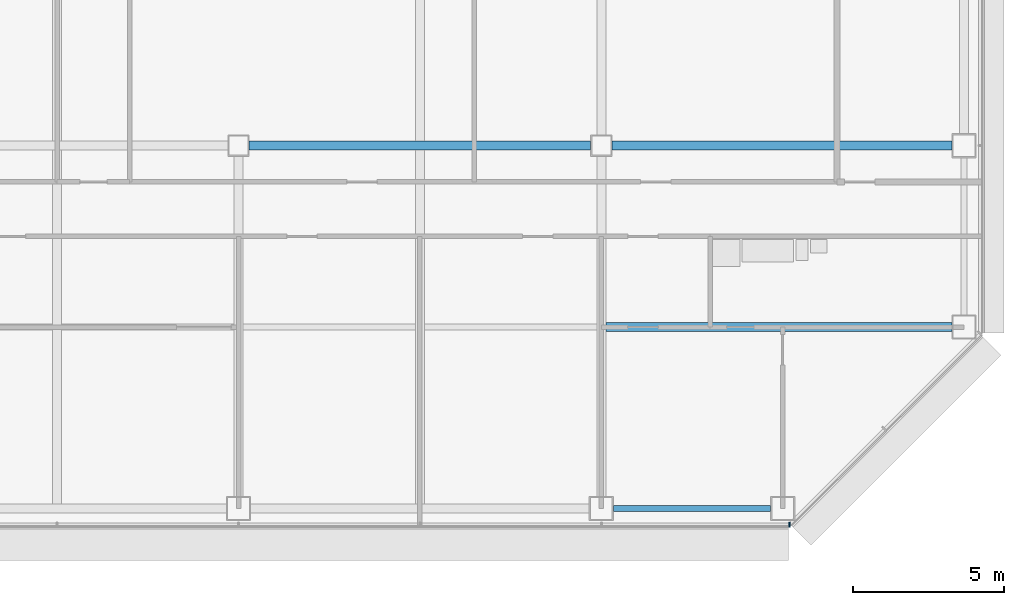
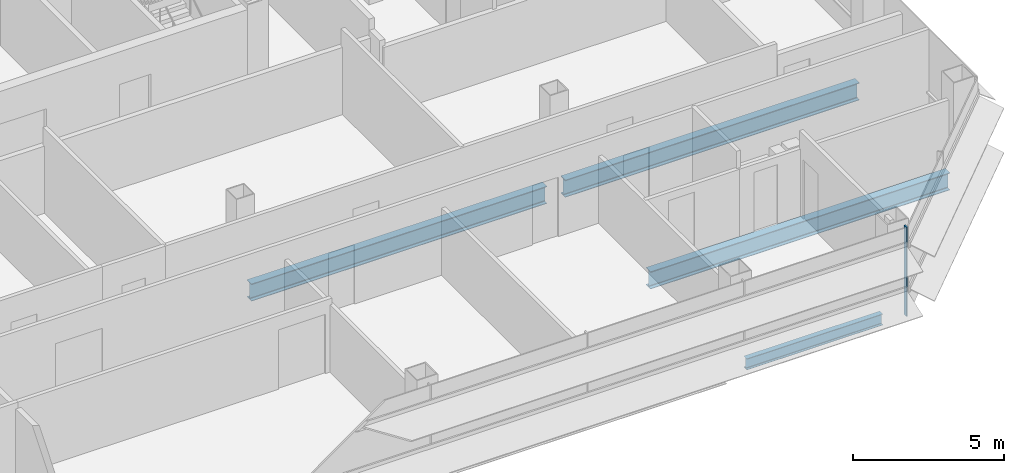
# One storey, part 9 of 25: 4 beams, 1 member, 1 element without a shape of its own.
"""IFC4 building model written with IfcOpenShell, lengths in metres."""

from ifc_helpers import new_model, si_unit, direction, frame, origin, origin_2d, place, context, subcontext, project, spatial, rectangle, i_section, extrude, material, material_profile, profile_set, type_object, element, aggregate, save


model = new_model("IFC4")

# Units and contexts
model_context = context("Model", 3, precision=1e-05, world=origin(), true_north=direction((0.0, 1.0)))
body_context = subcontext(model_context, "Body", "Model", "MODEL_VIEW")
ifc_project = project(units=[si_unit("LENGTHUNIT", "METRE"), si_unit("AREAUNIT", "SQUARE_METRE"), si_unit("VOLUMEUNIT", "CUBIC_METRE"), si_unit("PLANEANGLEUNIT", "RADIAN"), si_unit("MASSUNIT", "GRAM", prefix="KILO")], contexts=[model_context])

# Site, building, storey
site_placement = place(None, origin())
site = spatial("IfcSite", under=ifc_project, at=site_placement, CompositionType="ELEMENT")
building_placement = place(site_placement, origin())
building = spatial("IfcBuilding", under=site, at=building_placement, Name="Sorahane Residences", CompositionType="ELEMENT")
storey_placement = place(building_placement, frame((0.0, 0.0, 143.800048828125)))
storey = spatial("IfcBuildingStorey", under=building, at=storey_placement, Name="L32", CompositionType="ELEMENT", Elevation=143.800048828125)

# Curtain wall, member
ifc_material_1 = material(Name="Dark low-e glass and black anodised aluminium", Category="aluminium")
curtain_wall_type = type_object("IfcCurtainWallType", Name="Curtain wall CW-1 Typical unitised wall", PredefinedType="NOTDEFINED", material=ifc_material_1)
curtain_wall_placement = place(storey_placement, origin())
curtain_wall = element("IfcCurtainWall", 1, at=curtain_wall_placement, inside=storey, type_object=curtain_wall_type, Name="CW-1 curtain wall L32 S1", PredefinedType="NOTDEFINED")
ifc_material_2 = material(Name="Black anodised aluminium", Category="aluminium")
ifc_material_profile_1 = material_profile(ifc_material_2, rectangle(XDim=0.159912109375, YDim=0.050048828125, at=origin_2d()), Name="Curtain wall mullion CW-1 black anodised aluminium 50x160")
ifc_profile_set_1 = profile_set([ifc_material_profile_1], Name="Black anodised aluminium")
member_type = type_object("IfcMemberType", Name="Curtain wall mullion CW-1 black anodised aluminium 50x160", PredefinedType="MULLION", material=ifc_profile_set_1)
member_placement = place(storey_placement, frame((54.2236328125, -0.5400390625, -0.179931640625), z_axis=(0.0, 0.0, 1.0), x_axis=(0.0, -1.0, 0.0)))
member = element("IfcMember", 2, at=member_placement, type_object=member_type, Name="CW-1 mullion L32 S1.10", PredefinedType="MULLION", context=body_context, shape_type="SweptSolid", body=[
    extrude(rectangle(XDim=0.159912109375, YDim=0.050048828125, at=origin_2d()), origin(), (0.0, 0.0, 1.0), 3.599853515625),
])
aggregate(curtain_wall, [member])

# Beams
ifc_material_3 = material(Name="Steel Q355B", Category="steel")
ifc_material_profile_2 = material_profile(ifc_material_3, i_section(OverallWidth=0.199951171875, OverallDepth=0.449951171875, WebThickness=0.009033203125, FlangeThickness=0.013916015625, FilletRadius=0.02001953125, at=origin_2d()), Name="HN 450x200x9x14")
ifc_profile_set_2 = profile_set([ifc_material_profile_2], Name="Steel Q355B")
beam_type_1 = type_object("IfcBeamType", Name="Steel floor beam HN 450x200x9x14 Q355B", PredefinedType="BEAM", material=ifc_profile_set_2)
beam_1_placement = place(storey_placement, frame((48.39990234375, 0.0, -0.405029296875), z_axis=(1.0, 0.0, 0.0), x_axis=(0.0, 1.0, 0.0)))
element("IfcBeam", 3, at=beam_1_placement, inside=storey, type_object=beam_type_1, Name="Beam L32 004", PredefinedType="BEAM", context=body_context, shape_type="SweptSolid", body=[
    extrude(i_section(OverallWidth=0.199951171875, OverallDepth=0.449951171875, WebThickness=0.009033203125, FlangeThickness=0.013916015625, FilletRadius=0.02001953125, at=origin_2d()), origin(), (0.0, 0.0, 1.0), 5.2001953125),
])
ifc_material_4 = material(Name="Steel Q355B", Category="steel")
ifc_material_profile_3 = material_profile(ifc_material_4, i_section(OverallWidth=0.300048828125, OverallDepth=0.699951171875, WebThickness=0.012939453125, FlangeThickness=0.02392578125, FilletRadius=0.028076171875, at=origin_2d()), Name="HN 700x300x13x24")
ifc_profile_set_3 = profile_set([ifc_material_profile_3], Name="Steel Q355B")
beam_type_2 = type_object("IfcBeamType", Name="Steel floor beam HN 700x300x13x24 Q355B", PredefinedType="BEAM", material=ifc_profile_set_3)
beam_2_placement = place(storey_placement, frame((36.35009765625, 12.0, -0.530029296875), z_axis=(1.0, 0.0, 0.0), x_axis=(0.0, 1.0, 0.0)))
element("IfcBeam", 4, at=beam_2_placement, inside=storey, type_object=beam_type_2, Name="Beam L32 009", PredefinedType="BEAM", context=body_context, shape_type="SweptSolid", body=[
    extrude(i_section(OverallWidth=0.300048828125, OverallDepth=0.699951171875, WebThickness=0.012939453125, FlangeThickness=0.02392578125, FilletRadius=0.028076171875, at=origin_2d()), origin(), (0.0, 0.0, 1.0), 11.2998046875),
])
beam_3_placement = place(storey_placement, frame((48.35009765625, 12.0, -0.530029296875), z_axis=(1.0, 0.0, 0.0), x_axis=(0.0, 1.0, 0.0)))
element("IfcBeam", 5, at=beam_3_placement, inside=storey, type_object=beam_type_2, Name="Beam L32 010", PredefinedType="BEAM", context=body_context, shape_type="SweptSolid", body=[
    extrude(i_section(OverallWidth=0.300048828125, OverallDepth=0.699951171875, WebThickness=0.012939453125, FlangeThickness=0.02392578125, FilletRadius=0.028076171875, at=origin_2d()), origin(), (0.0, 0.0, 1.0), 11.25),
])
beam_4_placement = place(storey_placement, frame((48.14990234375, 6.0, -0.530029296875), z_axis=(1.0, 0.0, 0.0), x_axis=(0.0, 1.0, 0.0)))
element("IfcBeam", 6, at=beam_4_placement, inside=storey, type_object=beam_type_2, Name="Beam L32 077", PredefinedType="BEAM", context=body_context, shape_type="SweptSolid", body=[
    extrude(i_section(OverallWidth=0.300048828125, OverallDepth=0.699951171875, WebThickness=0.012939453125, FlangeThickness=0.02392578125, FilletRadius=0.028076171875, at=origin_2d()), origin(), (0.0, 0.0, 1.0), 11.4501953125),
])

save(model, "model.ifc")
